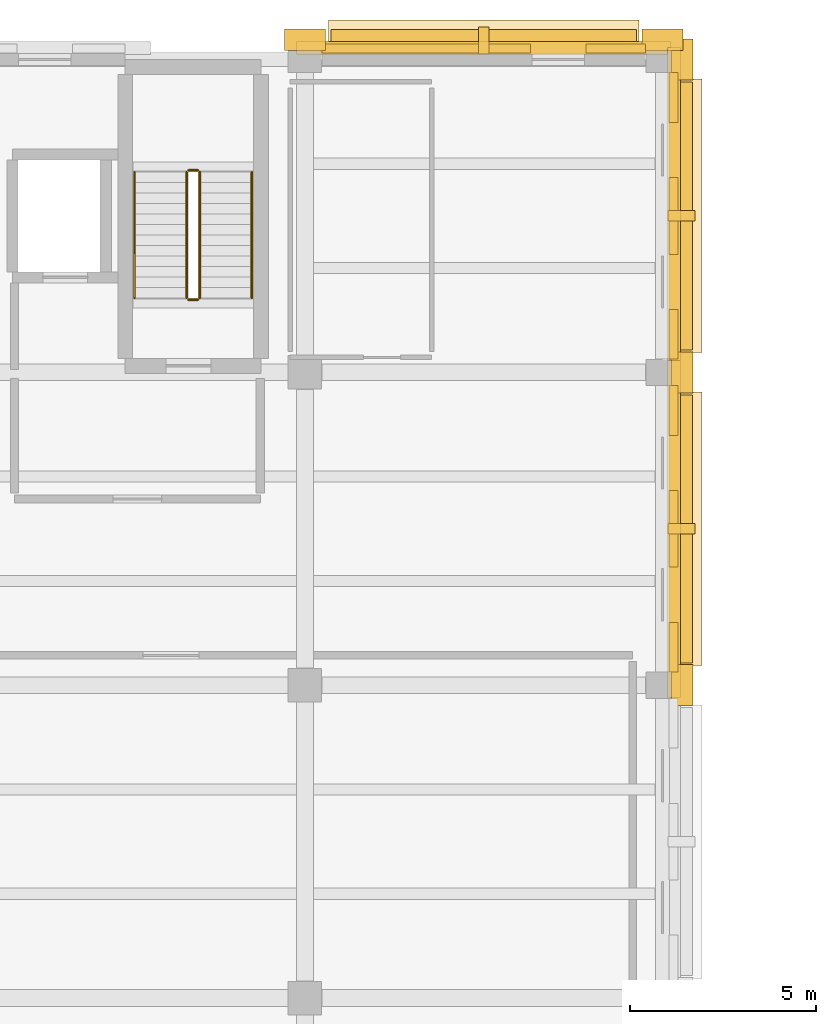
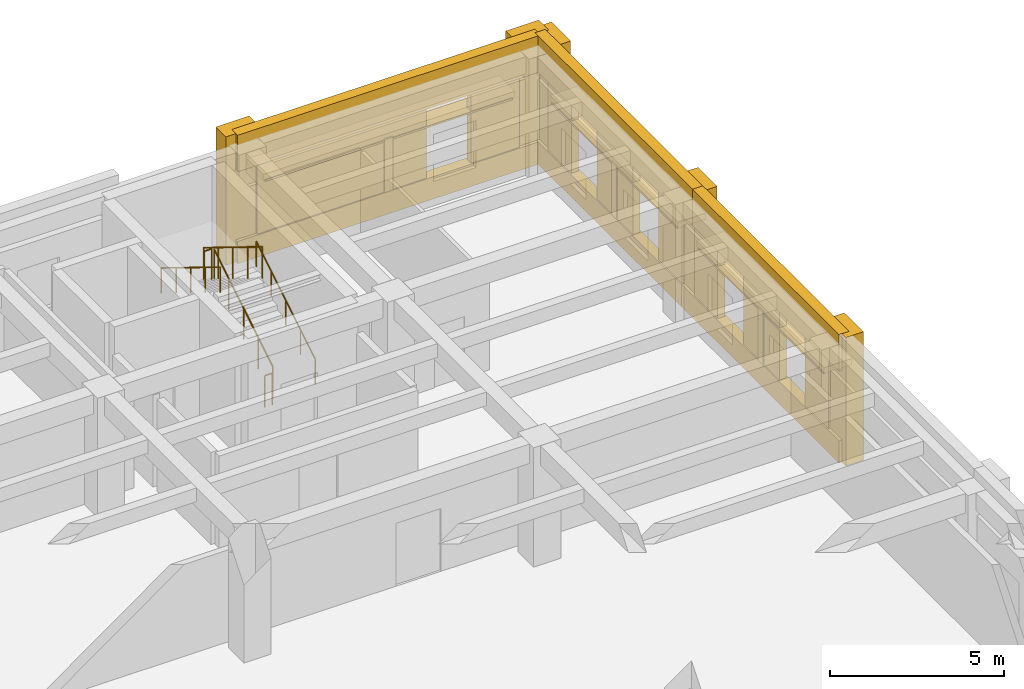
# One storey, part 47 of 49: 25 coverings, 6 railings, 3 shading devices.
"""IFC4 building model written with IfcOpenShell, lengths in metres."""

from ifc_helpers import new_model, si_unit, direction, frame, origin, origin_2d, place, context, subcontext, project, spatial, rectangle, circle, extrude, material, layer, layer_set, type_object, element, save


model = new_model("IFC4")

# Units and contexts
model_context = context("Model", 3, precision=1e-05, world=origin(), true_north=direction((0.0, 1.0)))
body_context = subcontext(model_context, "Body", "Model", "MODEL_VIEW")
ifc_project = project(units=[si_unit("LENGTHUNIT", "METRE"), si_unit("AREAUNIT", "SQUARE_METRE"), si_unit("VOLUMEUNIT", "CUBIC_METRE"), si_unit("PLANEANGLEUNIT", "RADIAN"), si_unit("MASSUNIT", "GRAM", prefix="KILO")], contexts=[model_context])

# Site, building, storey
site_placement = place(None, origin())
site = spatial("IfcSite", under=ifc_project, at=site_placement, CompositionType="ELEMENT")
building_placement = place(site_placement, origin())
building = spatial("IfcBuilding", under=site, at=building_placement, Name="Bempovik Park Faculty of Sciences", CompositionType="ELEMENT")
storey_placement = place(building_placement, frame((0.0, 0.0, 5.39990234375)))
storey = spatial("IfcBuildingStorey", under=building, at=storey_placement, Name="L01", CompositionType="ELEMENT", Elevation=5.39990234375)

# Coverings
ifc_material_1 = material(Name="Precast concrete C40/50", Category="concrete")
ifc_layer_1 = layer(ifc_material_1, 0.179931640625)
ifc_layer_set_1 = layer_set([ifc_layer_1], Name="Precast concrete C40/50")
covering_type_1 = type_object("IfcCoveringType", Name="CL-02 Classical Cornice Band 180mm", PredefinedType="CLADDING", material=ifc_layer_set_1)
covering_1_placement = place(storey_placement, frame((112.800048828125, 120.0, 2.6103515625), z_axis=(0.0, 0.0, 1.0), x_axis=(1.0, 0.0, 0.0)))
element("IfcCovering", 1, at=covering_1_placement, inside=storey, type_object=covering_type_1, Name="L01 Classical Stone Solar Window Hood EW-L01-6715", PredefinedType="CLADDING", context=body_context, shape_type="SweptSolid", body=[
    extrude(rectangle(XDim=8.345947265625, YDim=0.919921875, at=origin_2d()), origin(), (0.0, 0.0, 1.0), 0.219970703125),
])
for number, where, z_axis, x_axis, name in (
    (2, (118.199951171875, 106.800048828125, 2.6103515625), (0.0, 0.0, 1.0), (1.0, 0.0, 0.0), "L01 Classical Stone Solar Window Hood EW-L01-6750"),
    (3, (118.199951171875, 115.199951171875, 2.6103515625), (0.0, 0.0, 1.0), (1.0, 0.0, 0.0), "L01 Classical Stone Solar Window Hood EW-L01-6762"),
):
    element("IfcCovering", number, at=place(storey_placement, frame(where, z_axis=z_axis, x_axis=x_axis)), inside=storey, type_object=covering_type_1, Name=name, PredefinedType="CLADDING", context=body_context, shape_type="SweptSolid", body=[
        extrude(rectangle(XDim=0.919921875, YDim=7.345947265625, at=origin_2d()), origin(), (0.0, 0.0, 1.0), 0.219970703125),
    ])
ifc_material_2 = material(Name="White reconstituted limestone precast C40/50", Category="masonry")
ifc_layer_2 = layer(ifc_material_2, 0.239990234375)
ifc_layer_set_2 = layer_set([ifc_layer_2], Name="White reconstituted limestone precast C40/50")
covering_type_2 = type_object("IfcCoveringType", Name="CL-03 Classical Fluted Limestone Pilaster 240mm", PredefinedType="CLADDING", material=ifc_layer_set_2)
covering_2_placement = place(storey_placement, frame((108.0, 119.929931640625, 0.0), z_axis=(0.0, 0.0, 1.0), x_axis=(1.0, 0.0, 0.0)))
element("IfcCovering", 4, at=covering_2_placement, inside=storey, type_object=covering_type_2, Name="L01 Classical Fluted Stone Pilaster PIL-BA-L01-1080-1199", PredefinedType="CLADDING", context=body_context, shape_type="SweptSolid", body=[
    extrude(rectangle(XDim=1.10009765625, YDim=0.580078125, at=origin_2d()), origin(), (0.0, 0.0, 1.0), 4.5),
])
covering_3_placement = place(storey_placement, frame((112.800048828125, 119.7099609375, 3.22021484375), z_axis=(0.0, 0.0, 1.0), x_axis=(1.0, 0.0, 0.0)))
element("IfcCovering", 5, at=covering_3_placement, inside=storey, type_object=covering_type_2, Name="L01 Classical Limestone Spandrel Entablature EW-L01-6715", PredefinedType="CLADDING", context=body_context, shape_type="SweptSolid", body=[
    extrude(rectangle(XDim=10.0458984375, YDim=0.340087890625, at=origin_2d()), origin(), (0.0, 0.0, 1.0), 1.280029296875),
])
covering_4_placement = place(storey_placement, frame((112.800048828125, 119.7099609375, 0.0), z_axis=(0.0, 0.0, 1.0), x_axis=(1.0, 0.0, 0.0)))
element("IfcCovering", 6, at=covering_4_placement, inside=storey, type_object=covering_type_2, Name="L01 Classical Limestone Sill Dado EW-L01-6715", PredefinedType="CLADDING", context=body_context, shape_type="SweptSolid", body=[
    extrude(rectangle(XDim=10.0458984375, YDim=0.340087890625, at=origin_2d()), origin(), (0.0, 0.0, 1.0), 0.780029296875),
])
covering_5_placement = place(storey_placement, frame((117.60009765625, 119.929931640625, 0.0), z_axis=(0.0, 0.0, 1.0), x_axis=(1.0, 0.0, 0.0)))
element("IfcCovering", 7, at=covering_5_placement, inside=storey, type_object=covering_type_2, Name="L01 Classical Fluted Stone Pilaster PIL-BA-L01-1176-1199", PredefinedType="CLADDING", context=body_context, shape_type="SweptSolid", body=[
    extrude(rectangle(XDim=1.10009765625, YDim=0.580078125, at=origin_2d()), origin(), (0.0, 0.0, 1.0), 4.5),
])
covering_6_placement = place(storey_placement, frame((111.256103515625, 119.699951171875, 0.000244140625), z_axis=(0.0, 0.0, 1.0), x_axis=(1.0, 0.0, 0.0)))
element("IfcCovering", 8, at=covering_6_placement, inside=storey, type_object=covering_type_2, Name="L01 White Limestone Wall Cheek EW-L01-6715-0", PredefinedType="CLADDING", context=body_context, shape_type="SweptSolid", body=[
    extrude(rectangle(XDim=5.608154296875, YDim=0.239990234375, at=origin_2d()), origin(), (0.0, 0.0, 1.0), 3.3798828125),
])
covering_7_placement = place(storey_placement, frame((116.343994140625, 119.699951171875, 0.000244140625), z_axis=(0.0, 0.0, 1.0), x_axis=(1.0, 0.0, 0.0)))
element("IfcCovering", 9, at=covering_7_placement, inside=storey, type_object=covering_type_2, Name="L01 White Limestone Wall Cheek EW-L01-6715-2", PredefinedType="CLADDING", context=body_context, shape_type="SweptSolid", body=[
    extrude(rectangle(XDim=1.60791015625, YDim=0.239990234375, at=origin_2d()), origin(), (0.0, 0.0, 1.0), 3.3798828125),
])
covering_8_placement = place(storey_placement, frame((112.800048828125, 119.909912109375, 0.7001953125), z_axis=(0.0, 0.0, 1.0), x_axis=(1.0, 0.0, 0.0)))
element("IfcCovering", 10, at=covering_8_placement, inside=storey, type_object=covering_type_2, Name="L01 Classical Vertical Stone Shading Fin EW-L01-6715", PredefinedType="CLADDING", context=body_context, shape_type="SweptSolid", body=[
    extrude(rectangle(XDim=0.280029296875, YDim=0.719970703125, at=origin_2d()), origin(), (0.0, 0.0, 1.0), 1.949951171875),
])
covering_9_placement = place(storey_placement, frame((118.1298828125, 102.60009765625, 0.0), z_axis=(0.0, 0.0, 1.0), x_axis=(1.0, 0.0, 0.0)))
element("IfcCovering", 11, at=covering_9_placement, inside=storey, type_object=covering_type_2, Name="L01 Classical Fluted Stone Pilaster PIL-BA-L01-1181-1026", PredefinedType="CLADDING", context=body_context, shape_type="SweptSolid", body=[
    extrude(rectangle(XDim=0.580078125, YDim=1.10009765625, at=origin_2d()), origin(), (0.0, 0.0, 1.0), 4.5),
])
covering_10_placement = place(storey_placement, frame((117.909912109375, 106.800048828125, 3.22021484375), z_axis=(0.0, 0.0, 1.0), x_axis=(1.0, 0.0, 0.0)))
element("IfcCovering", 12, at=covering_10_placement, inside=storey, type_object=covering_type_2, Name="L01 Classical Limestone Spandrel Entablature EW-L01-6750", PredefinedType="CLADDING", context=body_context, shape_type="SweptSolid", body=[
    extrude(rectangle(XDim=0.340087890625, YDim=9.0458984375, at=origin_2d()), origin(), (0.0, 0.0, 1.0), 1.280029296875),
])
covering_11_placement = place(storey_placement, frame((117.909912109375, 106.800048828125, 0.0), z_axis=(0.0, 0.0, 1.0), x_axis=(1.0, 0.0, 0.0)))
element("IfcCovering", 13, at=covering_11_placement, inside=storey, type_object=covering_type_2, Name="L01 Classical Limestone Sill Dado EW-L01-6750", PredefinedType="CLADDING", context=body_context, shape_type="SweptSolid", body=[
    extrude(rectangle(XDim=0.340087890625, YDim=9.0458984375, at=origin_2d()), origin(), (0.0, 0.0, 1.0), 0.780029296875),
])
covering_12_placement = place(storey_placement, frame((118.1298828125, 111.0, 0.0), z_axis=(0.0, 0.0, 1.0), x_axis=(1.0, 0.0, 0.0)))
element("IfcCovering", 14, at=covering_12_placement, inside=storey, type_object=covering_type_2, Name="L01 Classical Fluted Stone Pilaster PIL-BA-L01-1181-1110", PredefinedType="CLADDING", context=body_context, shape_type="SweptSolid", body=[
    extrude(rectangle(XDim=0.580078125, YDim=1.10009765625, at=origin_2d()), origin(), (0.0, 0.0, 1.0), 4.5),
])
covering_13_placement = place(storey_placement, frame((117.89990234375, 103.620849609375, 0.000244140625), z_axis=(0.0, 0.0, 1.0), x_axis=(1.0, 0.0, 0.0)))
element("IfcCovering", 15, at=covering_13_placement, inside=storey, type_object=covering_type_2, Name="L01 White Limestone Wall Cheek EW-L01-6750-0", PredefinedType="CLADDING", context=body_context, shape_type="SweptSolid", body=[
    extrude(rectangle(XDim=0.239990234375, YDim=1.337890625, at=origin_2d()), origin(), (0.0, 0.0, 1.0), 3.3798828125),
])
covering_14_placement = place(storey_placement, frame((117.89990234375, 106.800048828125, 0.000244140625), z_axis=(0.0, 0.0, 1.0), x_axis=(1.0, 0.0, 0.0)))
element("IfcCovering", 16, at=covering_14_placement, inside=storey, type_object=covering_type_2, Name="L01 White Limestone Wall Cheek EW-L01-6750-2", PredefinedType="CLADDING", context=body_context, shape_type="SweptSolid", body=[
    extrude(rectangle(XDim=0.239990234375, YDim=2.060302734375, at=origin_2d()), origin(), (0.0, 0.0, 1.0), 3.3798828125),
])
covering_15_placement = place(storey_placement, frame((117.89990234375, 109.97900390625, 0.000244140625), z_axis=(0.0, 0.0, 1.0), x_axis=(1.0, 0.0, 0.0)))
element("IfcCovering", 17, at=covering_15_placement, inside=storey, type_object=covering_type_2, Name="L01 White Limestone Wall Cheek EW-L01-6750-4", PredefinedType="CLADDING", context=body_context, shape_type="SweptSolid", body=[
    extrude(rectangle(XDim=0.239990234375, YDim=1.337890625, at=origin_2d()), origin(), (0.0, 0.0, 1.0), 3.3798828125),
])
covering_16_placement = place(storey_placement, frame((118.110107421875, 106.800048828125, 0.7001953125), z_axis=(0.0, 0.0, 1.0), x_axis=(1.0, 0.0, 0.0)))
element("IfcCovering", 18, at=covering_16_placement, inside=storey, type_object=covering_type_2, Name="L01 Classical Vertical Stone Shading Fin EW-L01-6750", PredefinedType="CLADDING", context=body_context, shape_type="SweptSolid", body=[
    extrude(rectangle(XDim=0.719970703125, YDim=0.280029296875, at=origin_2d()), origin(), (0.0, 0.0, 1.0), 1.949951171875),
])
covering_17_placement = place(storey_placement, frame((117.909912109375, 115.199951171875, 3.22021484375), z_axis=(0.0, 0.0, 1.0), x_axis=(1.0, 0.0, 0.0)))
element("IfcCovering", 19, at=covering_17_placement, inside=storey, type_object=covering_type_2, Name="L01 Classical Limestone Spandrel Entablature EW-L01-6762", PredefinedType="CLADDING", context=body_context, shape_type="SweptSolid", body=[
    extrude(rectangle(XDim=0.340087890625, YDim=9.0458984375, at=origin_2d()), origin(), (0.0, 0.0, 1.0), 1.280029296875),
])
covering_18_placement = place(storey_placement, frame((117.909912109375, 115.199951171875, 0.0), z_axis=(0.0, 0.0, 1.0), x_axis=(1.0, 0.0, 0.0)))
element("IfcCovering", 20, at=covering_18_placement, inside=storey, type_object=covering_type_2, Name="L01 Classical Limestone Sill Dado EW-L01-6762", PredefinedType="CLADDING", context=body_context, shape_type="SweptSolid", body=[
    extrude(rectangle(XDim=0.340087890625, YDim=9.0458984375, at=origin_2d()), origin(), (0.0, 0.0, 1.0), 0.780029296875),
])
covering_19_placement = place(storey_placement, frame((118.1298828125, 119.39990234375, 0.0), z_axis=(0.0, 0.0, 1.0), x_axis=(1.0, 0.0, 0.0)))
element("IfcCovering", 21, at=covering_19_placement, inside=storey, type_object=covering_type_2, Name="L01 Classical Fluted Stone Pilaster PIL-BA-L01-1181-1194", PredefinedType="CLADDING", context=body_context, shape_type="SweptSolid", body=[
    extrude(rectangle(XDim=0.580078125, YDim=1.10009765625, at=origin_2d()), origin(), (0.0, 0.0, 1.0), 4.5),
])
covering_20_placement = place(storey_placement, frame((117.89990234375, 112.02099609375, 0.000244140625), z_axis=(0.0, 0.0, 1.0), x_axis=(1.0, 0.0, 0.0)))
element("IfcCovering", 22, at=covering_20_placement, inside=storey, type_object=covering_type_2, Name="L01 White Limestone Wall Cheek EW-L01-6762-0", PredefinedType="CLADDING", context=body_context, shape_type="SweptSolid", body=[
    extrude(rectangle(XDim=0.239990234375, YDim=1.337890625, at=origin_2d()), origin(), (0.0, 0.0, 1.0), 3.3798828125),
])
covering_21_placement = place(storey_placement, frame((117.89990234375, 115.199951171875, 0.000244140625), z_axis=(0.0, 0.0, 1.0), x_axis=(1.0, 0.0, 0.0)))
element("IfcCovering", 23, at=covering_21_placement, inside=storey, type_object=covering_type_2, Name="L01 White Limestone Wall Cheek EW-L01-6762-2", PredefinedType="CLADDING", context=body_context, shape_type="SweptSolid", body=[
    extrude(rectangle(XDim=0.239990234375, YDim=2.060302734375, at=origin_2d()), origin(), (0.0, 0.0, 1.0), 3.3798828125),
])
covering_22_placement = place(storey_placement, frame((117.89990234375, 118.379150390625, 0.000244140625), z_axis=(0.0, 0.0, 1.0), x_axis=(1.0, 0.0, 0.0)))
element("IfcCovering", 24, at=covering_22_placement, inside=storey, type_object=covering_type_2, Name="L01 White Limestone Wall Cheek EW-L01-6762-4", PredefinedType="CLADDING", context=body_context, shape_type="SweptSolid", body=[
    extrude(rectangle(XDim=0.239990234375, YDim=1.337890625, at=origin_2d()), origin(), (0.0, 0.0, 1.0), 3.3798828125),
])
covering_23_placement = place(storey_placement, frame((118.110107421875, 115.199951171875, 0.7001953125), z_axis=(0.0, 0.0, 1.0), x_axis=(1.0, 0.0, 0.0)))
element("IfcCovering", 25, at=covering_23_placement, inside=storey, type_object=covering_type_2, Name="L01 Classical Vertical Stone Shading Fin EW-L01-6762", PredefinedType="CLADDING", context=body_context, shape_type="SweptSolid", body=[
    extrude(rectangle(XDim=0.719970703125, YDim=0.280029296875, at=origin_2d()), origin(), (0.0, 0.0, 1.0), 1.949951171875),
])

# Railings
ifc_material_3 = material(Name="Anodised architectural bronze")
railing_type_1 = type_object("IfcRailingType", Name="GR-01 Guardrail 1120mm", PredefinedType="GUARDRAIL", material=ifc_material_3)
railing_1_placement = place(storey_placement, frame((105.175048828125, 113.0, 0.173095703125)))
element("IfcRailing", 26, at=railing_1_placement, inside=storey, type_object=railing_type_1, Name="L01 ST-2 Stair Guard 1", PredefinedType="GUARDRAIL", context=body_context, shape_type="SweptSolid", body=[
    extrude(circle(Radius=0.02392578125, at=origin_2d()), frame((0.0, 0.0, 1.09619140625), z_axis=(0.0, 0.851660431972, 0.524093988338), x_axis=(-1.0, 0.0, 0.0)), (0.0, 0.0, 1.0), 3.962890625),
    extrude(circle(Radius=0.02099609375, at=origin_2d()), origin(), (0.0, 0.0, 1.0), 1.072021484375),
    extrude(circle(Radius=0.02099609375, at=origin_2d()), frame((0.0, 0.84375, 0.519287109375)), (0.0, 0.0, 1.0), 1.072021484375),
    extrude(circle(Radius=0.02099609375, at=origin_2d()), frame((0.0, 1.6875, 1.03857421875)), (0.0, 0.0, 1.0), 1.072021484375),
    extrude(circle(Radius=0.02099609375, at=origin_2d()), frame((0.0, 2.53125, 1.5576171875)), (0.0, 0.0, 1.0), 1.072021484375),
    extrude(circle(Radius=0.02099609375, at=origin_2d()), frame((0.0, 3.375, 2.076904296875)), (0.0, 0.0, 1.0), 1.072021484375),
])
railing_2_placement = place(storey_placement, frame((105.125, 116.425048828125, 2.25)))
element("IfcRailing", 27, at=railing_2_placement, inside=storey, type_object=railing_type_1, Name="L01 ST-2 Stair Guard 2", PredefinedType="GUARDRAIL", context=body_context, shape_type="SweptSolid", body=[
    extrude(circle(Radius=0.02392578125, at=origin_2d()), frame((0.0, 0.0, 1.09619140625), z_axis=(-1.0, 0.0, 0.0), x_axis=(0.0, -1.0, 0.0)), (0.0, 0.0, 1.0), 0.25),
    extrude(circle(Radius=0.02099609375, at=origin_2d()), origin(), (0.0, 0.0, 1.0), 1.072021484375),
    extrude(circle(Radius=0.02099609375, at=origin_2d()), frame((-0.25, 0.0, 0.0)), (0.0, 0.0, 1.0), 1.072021484375),
])
railing_3_placement = place(storey_placement, frame((104.824951171875, 116.375, 2.423095703125)))
element("IfcRailing", 28, at=railing_3_placement, inside=storey, type_object=railing_type_1, Name="L01 ST-2 Stair Guard 3", PredefinedType="GUARDRAIL", context=body_context, shape_type="SweptSolid", body=[
    extrude(circle(Radius=0.02392578125, at=origin_2d()), frame((0.0, 0.0, 1.09619140625), z_axis=(0.0, -0.851660431972, 0.524093988338), x_axis=(1.0, 0.0, 0.0)), (0.0, 0.0, 1.0), 3.962890625),
    extrude(circle(Radius=0.02099609375, at=origin_2d()), origin(), (0.0, 0.0, 1.0), 1.072021484375),
    extrude(circle(Radius=0.02099609375, at=origin_2d()), frame((0.0, -0.84375, 0.519287109375)), (0.0, 0.0, 1.0), 1.072021484375),
    extrude(circle(Radius=0.02099609375, at=origin_2d()), frame((0.0, -1.6875, 1.03857421875)), (0.0, 0.0, 1.0), 1.072021484375),
    extrude(circle(Radius=0.02099609375, at=origin_2d()), frame((0.0, -2.53125, 1.5576171875)), (0.0, 0.0, 1.0), 1.072021484375),
    extrude(circle(Radius=0.02099609375, at=origin_2d()), frame((0.0, -3.375, 2.076904296875)), (0.0, 0.0, 1.0), 1.072021484375),
])
railing_4_placement = place(storey_placement, frame((105.125, 112.949951171875, 0.0)))
element("IfcRailing", 29, at=railing_4_placement, inside=storey, type_object=railing_type_1, Name="L01 ST-2 Stair Guard 4", PredefinedType="GUARDRAIL", context=body_context, shape_type="SweptSolid", body=[
    extrude(circle(Radius=0.02392578125, at=origin_2d()), frame((0.0, 0.0, 1.09619140625), z_axis=(-1.0, 0.0, 0.0), x_axis=(0.0, -1.0, 0.0)), (0.0, 0.0, 1.0), 0.25),
    extrude(circle(Radius=0.02099609375, at=origin_2d()), origin(), (0.0, 0.0, 1.0), 1.072021484375),
    extrude(circle(Radius=0.02099609375, at=origin_2d()), frame((-0.25, 0.0, 0.0)), (0.0, 0.0, 1.0), 1.072021484375),
])
railing_type_2 = type_object("IfcRailingType", Name="HR-01 Wall Handrail 900mm", PredefinedType="HANDRAIL", material=ifc_material_3)
railing_5_placement = place(storey_placement, frame((106.574951171875, 113.0, 0.173095703125)))
element("IfcRailing", 30, at=railing_5_placement, inside=storey, type_object=railing_type_2, Name="L01 ST-2 Stair Handrail 1", PredefinedType="HANDRAIL", context=body_context, shape_type="SweptSolid", body=[
    extrude(circle(Radius=0.02392578125, at=origin_2d()), frame((0.0, 0.0, 0.8759765625), z_axis=(0.0, 0.851660431972, 0.524093988338), x_axis=(-1.0, 0.0, 0.0)), (0.0, 0.0, 1.0), 3.962890625),
    extrude(circle(Radius=0.02099609375, at=origin_2d()), origin(), (0.0, 0.0, 1.0), 0.851806640625),
    extrude(circle(Radius=0.02099609375, at=origin_2d()), frame((0.0, 0.84375, 0.519287109375)), (0.0, 0.0, 1.0), 0.851806640625),
    extrude(circle(Radius=0.02099609375, at=origin_2d()), frame((0.0, 1.6875, 1.03857421875)), (0.0, 0.0, 1.0), 0.851806640625),
    extrude(circle(Radius=0.02099609375, at=origin_2d()), frame((0.0, 2.53125, 1.5576171875)), (0.0, 0.0, 1.0), 0.851806640625),
    extrude(circle(Radius=0.02099609375, at=origin_2d()), frame((0.0, 3.375, 2.076904296875)), (0.0, 0.0, 1.0), 0.851806640625),
])
railing_6_placement = place(storey_placement, frame((103.425048828125, 116.375, 2.423095703125)))
element("IfcRailing", 31, at=railing_6_placement, inside=storey, type_object=railing_type_2, Name="L01 ST-2 Stair Handrail 2", PredefinedType="HANDRAIL", context=body_context, shape_type="SweptSolid", body=[
    extrude(circle(Radius=0.02392578125, at=origin_2d()), frame((0.0, 0.0, 0.8759765625), z_axis=(0.0, -0.851660431972, 0.524093988338), x_axis=(1.0, 0.0, 0.0)), (0.0, 0.0, 1.0), 3.962890625),
    extrude(circle(Radius=0.02099609375, at=origin_2d()), origin(), (0.0, 0.0, 1.0), 0.851806640625),
    extrude(circle(Radius=0.02099609375, at=origin_2d()), frame((0.0, -0.84375, 0.519287109375)), (0.0, 0.0, 1.0), 0.851806640625),
    extrude(circle(Radius=0.02099609375, at=origin_2d()), frame((0.0, -1.6875, 1.03857421875)), (0.0, 0.0, 1.0), 0.851806640625),
    extrude(circle(Radius=0.02099609375, at=origin_2d()), frame((0.0, -2.53125, 1.5576171875)), (0.0, 0.0, 1.0), 0.851806640625),
    extrude(circle(Radius=0.02099609375, at=origin_2d()), frame((0.0, -3.375, 2.076904296875)), (0.0, 0.0, 1.0), 0.851806640625),
])

# Shading devices
ifc_layer_3 = layer(ifc_material_3, 0.06005859375)
ifc_layer_set_3 = layer_set([ifc_layer_3], Name="Anodised architectural bronze")
shading_device_type = type_object("IfcShadingDeviceType", Name="SH-01 Bronze Brise-Soleil Fin", PredefinedType="USERDEFINED", material=ifc_layer_set_3)
shading_device_placement = place(storey_placement, frame((112.800048828125, 119.8798828125, 2.550048828125), z_axis=(0.0, 0.0, 1.0), x_axis=(1.0, 0.0, 0.0)))
element("IfcShadingDevice", 32, at=shading_device_placement, inside=storey, type_object=shading_device_type, Name="L01 Equatorial Bronze Brise-Soleil EW-L01-6715", ObjectType="BRISE SOLEIL", PredefinedType="USERDEFINED", context=body_context, shape_type="SweptSolid", body=[
    extrude(rectangle(XDim=8.196044921875, YDim=0.64990234375, at=origin_2d()), origin(), (0.0, 0.0, 1.0), 0.06005859375),
])
for number, where, z_axis, x_axis, name in (
    (33, (118.080078125, 106.800048828125, 2.550048828125), (0.0, 0.0, 1.0), (1.0, 0.0, 0.0), "L01 Equatorial Bronze Brise-Soleil EW-L01-6750"),
    (34, (118.080078125, 115.199951171875, 2.550048828125), (0.0, 0.0, 1.0), (1.0, 0.0, 0.0), "L01 Equatorial Bronze Brise-Soleil EW-L01-6762"),
):
    element("IfcShadingDevice", number, at=place(storey_placement, frame(where, z_axis=z_axis, x_axis=x_axis)), inside=storey, type_object=shading_device_type, Name=name, ObjectType="BRISE SOLEIL", PredefinedType="USERDEFINED", context=body_context, shape_type="SweptSolid", body=[
        extrude(rectangle(XDim=0.64990234375, YDim=7.196044921875, at=origin_2d()), origin(), (0.0, 0.0, 1.0), 0.06005859375),
    ])

save(model, "model.ifc")
